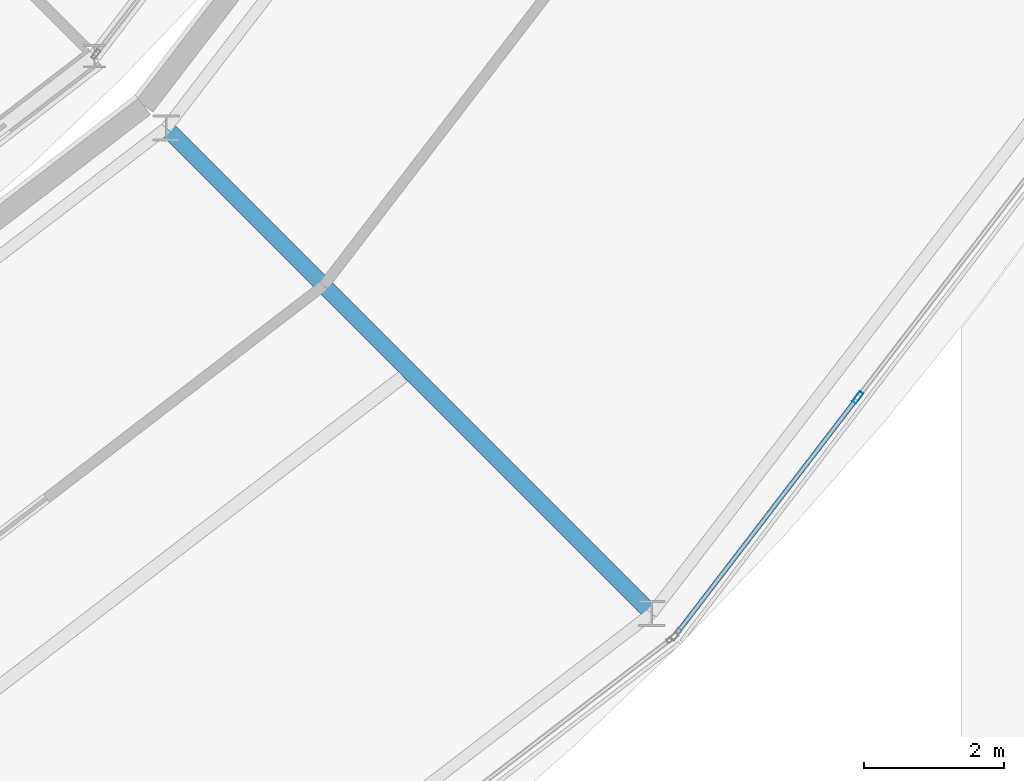
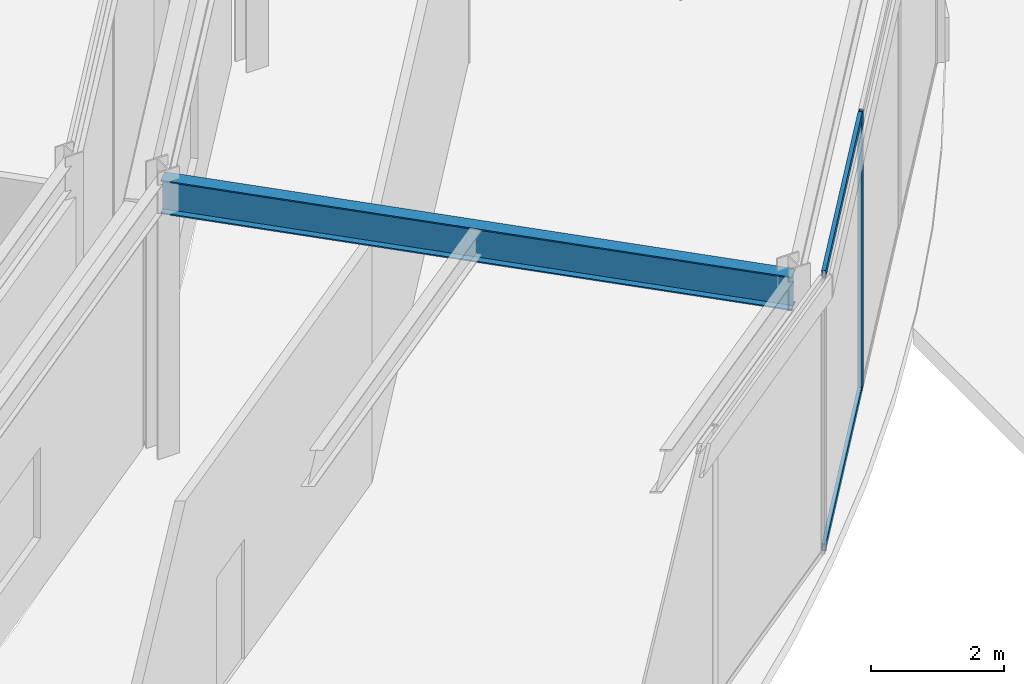
# One storey, part 50 of 168: 3 members, 1 beam, 1 element without a shape of its own.
"""IFC4 building model written with IfcOpenShell, lengths in metres."""

import ifcopenshell
import ifcopenshell.guid

model = None  # the IFC model being written
_history = None  # IfcOwnerHistory: only IFC2X3 demands one
_inside = {}  # id of a spatial element -> (the spatial element, [elements in it])
_under = {}  # id of a project, library or spatial element -> (it, [spatial elements below it])
_declared = {}  # id of a project -> (the project, [libraries it declares])
_typed = {}  # id of a type object -> (the type object, [elements of that type])
_made_of = {}  # id of a material, layer set ... -> (it, [elements and type objects made of it])


def new_model(schema):
    """Start an empty IFC model of exactly this schema.

    Asked for "IFC4X3", IfcOpenShell would pick the latest addendum, in which some entities
    have other attributes; the version numbers below select the first issue.
    IFC2X3 requires an IfcOwnerHistory on every rooted entity: one is made here for all.
    """
    global model, _history
    if schema == "IFC4X3":
        model = ifcopenshell.file(schema_version=(4, 3, 0, 0))
    else:
        model = ifcopenshell.file(schema=schema)
    _inside.clear()
    _under.clear()
    _declared.clear()
    _typed.clear()
    _made_of.clear()
    _history = None
    if model.schema == "IFC2X3":
        org = make("IfcOrganization", Name="unknown")
        user = make(
            "IfcPersonAndOrganization",
            ThePerson=make("IfcPerson", FamilyName="unknown"),
            TheOrganization=org,
        )
        app = make(
            "IfcApplication",
            ApplicationDeveloper=org,
            Version="unknown",
            ApplicationFullName="unknown",
            ApplicationIdentifier="unknown",
        )
        _history = make(
            "IfcOwnerHistory",
            OwningUser=user,
            OwningApplication=app,
            ChangeAction="ADDED",
            CreationDate=0,
        )
    return model


def make(cls, **values):
    """One entity of the class cls with the attributes given. An attribute that is None is left unset."""
    return model.create_entity(
        cls, **{name: value for name, value in values.items() if value is not None}
    )


def rooted(cls, **values):
    """An entity with a GlobalId (a new one), such as an element, a storey or a relation."""
    return make(cls, GlobalId=ifcopenshell.guid.new(), OwnerHistory=_history, **values)


def si_unit(unit_type, name, prefix=None):
    """IfcSIUnit, for example si_unit("LENGTHUNIT", "METRE", prefix="MILLI")."""
    return make("IfcSIUnit", UnitType=unit_type, Prefix=prefix, Name=name)


def assignment(units):
    """IfcUnitAssignment: the units of a project."""
    return None if units is None else make("IfcUnitAssignment", Units=units)


def point(xyz):
    """IfcCartesianPoint."""
    return None if xyz is None else make("IfcCartesianPoint", Coordinates=xyz)


def direction(xyz):
    """IfcDirection."""
    return None if xyz is None else make("IfcDirection", DirectionRatios=xyz)


def frame(location, z_axis=None, x_axis=None):
    """IfcAxis2Placement3D, a coordinate frame: its origin and axes. An axis left out is left unset."""
    return make(
        "IfcAxis2Placement3D",
        Location=point(location),
        Axis=direction(z_axis),
        RefDirection=direction(x_axis),
    )


def frame_2d(location, x_axis=None):
    """IfcAxis2Placement2D, a coordinate frame in the plane: its origin and x axis."""
    return make(
        "IfcAxis2Placement2D", Location=point(location), RefDirection=direction(x_axis)
    )


def origin():
    """The frame at (0, 0, 0) with its axes left unset."""
    return frame((0.0, 0.0, 0.0))


def origin_2d():
    """The frame at (0, 0) in the plane with its x axis left unset."""
    return frame_2d((0.0, 0.0))


def place(relative_to, where):
    """IfcLocalPlacement: puts the frame where relative to a parent placement (None: the world)."""
    return make(
        "IfcLocalPlacement", PlacementRelTo=relative_to, RelativePlacement=where
    )


def context(
    kind, dimensions, precision=None, world=None, true_north=None, identifier=None
):
    """IfcGeometricRepresentationContext, for example the 3D "Model" context."""
    return make(
        "IfcGeometricRepresentationContext",
        ContextIdentifier=identifier,
        ContextType=kind,
        CoordinateSpaceDimension=dimensions,
        Precision=precision,
        WorldCoordinateSystem=world,
        TrueNorth=true_north,
    )


def subcontext(parent, identifier, kind, view, scale=None):
    """IfcGeometricRepresentationSubContext, for example "Body" below "Model"."""
    return make(
        "IfcGeometricRepresentationSubContext",
        ContextIdentifier=identifier,
        ContextType=kind,
        ParentContext=parent,
        TargetScale=scale,
        TargetView=view,
    )


def project(units=None, contexts=None):
    """IfcProject with its units and contexts."""
    return rooted(
        "IfcProject",
        Name="project",
        RepresentationContexts=contexts,
        UnitsInContext=assignment(units),
    )


def spatial(cls, under=None, at=None, **own):
    """A site, building, storey or space (cls), placed at a placement, below another one or the project."""
    s = rooted(cls, ObjectPlacement=at, **own)
    if under is not None:
        _under.setdefault(under.id(), (under, []))[1].append(s)
    return s


def profile(cls, at=None, kind="AREA", **sizes):
    """A parametric profile (cls). Its sizes go by their IFC names, for example OverallWidth=200.0."""
    return make(cls, ProfileType=kind, Position=at, **sizes)


def hollow_rectangle(**sizes):
    """IfcRectangleHollowProfileDef."""
    return profile("IfcRectangleHollowProfileDef", **sizes)


def i_section(**sizes):
    """IfcIShapeProfileDef."""
    return profile("IfcIShapeProfileDef", **sizes)


def extrude(swept, where, along, depth):
    """IfcExtrudedAreaSolid: the profile swept, set in the frame where, extruded along a direction by depth."""
    return make(
        "IfcExtrudedAreaSolid",
        SweptArea=swept,
        Position=where,
        ExtrudedDirection=direction(along),
        Depth=depth,
    )


def shape(context_of_items, identifier, shape_type, items):
    """IfcShapeRepresentation: the items that make up one representation, for example the "Body"."""
    return make(
        "IfcShapeRepresentation",
        ContextOfItems=context_of_items,
        RepresentationIdentifier=identifier,
        RepresentationType=shape_type,
        Items=items,
    )


def material(Name=None, Category=None):
    """IfcMaterial."""
    return make("IfcMaterial", Name=Name, Category=Category)


def material_profile(
    of_material, cross_section, Name=None, Category=None, Priority=None
):
    """IfcMaterialProfile: a cross section and its material."""
    return make(
        "IfcMaterialProfile",
        Name=Name,
        Material=of_material,
        Profile=cross_section,
        Priority=Priority,
        Category=Category,
    )


def profile_set(profiles, Name=None, composite=None):
    """IfcMaterialProfileSet."""
    return make(
        "IfcMaterialProfileSet",
        Name=Name,
        MaterialProfiles=profiles,
        CompositeProfile=composite,
    )


def made_of(thing, what):
    """Note that an element or type object is made of a material, layer set ...; save() writes the relation."""
    if what is not None:
        _made_of.setdefault(what.id(), (what, []))[1].append(thing)
    return thing


def type_object(cls, material=None, **own):
    """A type object (cls), such as IfcWallType, which elements share."""
    return made_of(rooted(cls, **own), material)


def element(
    cls,
    number,
    at=None,
    inside=None,
    cuts=None,
    type_object=None,
    material=None,
    context=None,
    identifier="Body",
    shape_type=None,
    held_by="IfcProductDefinitionShape",
    body=None,
    shapes=None,
    **own,
):
    """One element of the class cls, such as IfcWall. Its Tag is "e" and its number.

    at: its placement. inside: the storey or other place that contains it. cuts: it is an
    opening in that element (IfcRelVoidsElement). A single representation is given by context,
    identifier, shape_type and body (its items); several are given by shapes. held_by: the class
    of the entity that holds the representations. save() writes the other relations.
    """
    e = rooted(cls, Tag="e%d" % number, ObjectPlacement=at, **own)
    if body is not None:
        shapes = [shape(context, identifier, shape_type, body)]
    if shapes is not None:
        e.Representation = make(held_by, Representations=shapes)
    if inside is not None:
        _inside.setdefault(inside.id(), (inside, []))[1].append(e)
    if cuts is not None:
        rooted(
            "IfcRelVoidsElement", RelatingBuildingElement=cuts, RelatedOpeningElement=e
        )
    if type_object is not None:
        _typed.setdefault(type_object.id(), (type_object, []))[1].append(e)
    return made_of(e, material)


def aggregate(whole, parts):
    """IfcRelAggregates: a whole, such as a stair, and the parts it consists of."""
    return rooted("IfcRelAggregates", RelatingObject=whole, RelatedObjects=parts)


def save(model, path):
    """Write the relations noted so far, then the file.

    IfcRelAggregates (storeys below a building ...), IfcRelContainedInSpatialStructure (elements
    in a storey), IfcRelDefinesByType, IfcRelAssociatesMaterial and IfcRelDeclares: one each for
    every whole, place, type object, material and project.
    """
    for whole, parts in _under.values():
        aggregate(whole, parts)
    for where, things in _inside.values():
        rooted(
            "IfcRelContainedInSpatialStructure",
            RelatedElements=things,
            RelatingStructure=where,
        )
    for kind, things in _typed.values():
        rooted("IfcRelDefinesByType", RelatedObjects=things, RelatingType=kind)
    for what, things in _made_of.values():
        rooted("IfcRelAssociatesMaterial", RelatedObjects=things, RelatingMaterial=what)
    for by, libraries in _declared.values():
        rooted("IfcRelDeclares", RelatingContext=by, RelatedDefinitions=libraries)
    model.write(path)


model = new_model("IFC4")

# Units and contexts
model_context = context("Model", 3, precision=1e-05, world=origin(), true_north=direction((0.0, 1.0)))
body_context = subcontext(model_context, "Body", "Model", "MODEL_VIEW")
ifc_project = project(units=[si_unit("LENGTHUNIT", "METRE"), si_unit("AREAUNIT", "SQUARE_METRE"), si_unit("VOLUMEUNIT", "CUBIC_METRE"), si_unit("PLANEANGLEUNIT", "RADIAN"), si_unit("MASSUNIT", "GRAM", prefix="KILO")], contexts=[model_context])

# Site, building, storey
site_placement = place(None, origin())
site = spatial("IfcSite", under=ifc_project, at=site_placement, CompositionType="ELEMENT")
building_placement = place(site_placement, origin())
building = spatial("IfcBuilding", under=site, at=building_placement, Name="Almandine Court Research Institute", CompositionType="ELEMENT")
storey_placement = place(building_placement, origin())
storey = spatial("IfcBuildingStorey", under=building, at=storey_placement, Name="L00", CompositionType="ELEMENT", Elevation=0.0)

# Beam
ifc_material_1 = material(Name="Steel ASTM A992 Grade 50", Category="steel")
ifc_material_profile_1 = material_profile(ifc_material_1, i_section(OverallWidth=0.22998046875, OverallDepth=0.616943359375, WebThickness=0.012939453125, FlangeThickness=0.02197265625, at=origin_2d()), Name="W610x140")
ifc_profile_set_1 = profile_set([ifc_material_profile_1], Name="Steel ASTM A992 Grade 50")
beam_type = type_object("IfcBeamType", Name="Beam-G-02", PredefinedType="BEAM", material=ifc_profile_set_1)
beam_placement = place(storey_placement, frame((114.64794921875, 28.35205078125, 4.715087890625), z_axis=(0.707106781187, -0.707106781187, 0.0), x_axis=(0.707106781187, 0.707106781187, 0.0)))
element("IfcBeam", 1, at=beam_placement, inside=storey, type_object=beam_type, Name="L00 Drum Radial Girder 21", PredefinedType="BEAM", context=body_context, shape_type="SweptSolid", body=[
    extrude(i_section(OverallWidth=0.22998046875, OverallDepth=0.616943359375, WebThickness=0.012939453125, FlangeThickness=0.02197265625, at=origin_2d()), origin(), (0.0, 0.0, 1.0), 9.80029296875),
])

# Curtain wall, members
ifc_material_2 = material(Name="Unitised Curtain Wall Framing and Solar Glazing", Category="glass")
curtain_wall_type = type_object("IfcCurtainWallType", Name="CW-CWJ-17", PredefinedType="USERDEFINED", material=ifc_material_2)
curtain_wall_placement = place(storey_placement, origin())
curtain_wall = element("IfcCurtainWall", 2, at=curtain_wall_placement, inside=storey, type_object=curtain_wall_type, Name="L00 Stacked-Ring Drum Outer Solar Jali Screen 21", ObjectType="SOLAR JALI SCREEN", PredefinedType="USERDEFINED")
ifc_material_3 = material(Name="Anodised Aluminium AW-6063-T6", Category="aluminium")
ifc_material_profile_2 = material_profile(ifc_material_3, hollow_rectangle(XDim=0.06494140625, YDim=0.179931640625, WallThickness=0.00390625, at=origin_2d()), Name="ALU RHS 65x180x4")
ifc_profile_set_2 = profile_set([ifc_material_profile_2], Name="Anodised Aluminium AW-6063-T6")
member_type_1 = type_object("IfcMemberType", Name="CWMul-65x180", PredefinedType="MULLION", material=ifc_profile_set_2)
member_1_placement = place(storey_placement, frame((124.51904296875, 24.505615234375, 0.0), z_axis=(0.0, 0.0, 1.0), x_axis=(0.793382586046, -0.608723313303, 0.0)))
member_1 = element("IfcMember", 3, at=member_1_placement, type_object=member_type_1, Name="CWJ-17 mullion 3", PredefinedType="MULLION", context=body_context, shape_type="SweptSolid", body=[
    extrude(hollow_rectangle(XDim=0.06494140625, YDim=0.179931640625, WallThickness=0.00390625, at=origin_2d()), origin(), (0.0, 0.0, 1.0), 5.070068359375),
])
ifc_material_profile_3 = material_profile(ifc_material_3, hollow_rectangle(XDim=0.06494140625, YDim=0.1298828125, WallThickness=0.00390625, at=origin_2d()), Name="ALU RHS 65x130x4")
ifc_profile_set_3 = profile_set([ifc_material_profile_3], Name="Anodised Aluminium AW-6063-T6")
member_type_2 = type_object("IfcMemberType", Name="CWTrn-65x130", PredefinedType="NOTDEFINED", material=ifc_profile_set_3)
member_2_placement = place(storey_placement, frame((124.499267578125, 24.47998046875, 0.032470703125), z_axis=(-0.608725941364, -0.793380569658, 0.0), x_axis=(0.793380569658, -0.608725941364, 0.0)))
member_2 = element("IfcMember", 4, at=member_2_placement, type_object=member_type_2, Name="CWJ-17 transom 3.1", ObjectType="TRANSOM", PredefinedType="USERDEFINED", context=body_context, shape_type="SweptSolid", body=[
    extrude(hollow_rectangle(XDim=0.06494140625, YDim=0.1298828125, WallThickness=0.00390625, at=origin_2d()), origin(), (0.0, 0.0, 1.0), 4.195068359375),
])
member_3_placement = place(storey_placement, frame((124.499267578125, 24.47998046875, 5.03759765625), z_axis=(-0.608725941364, -0.793380569658, 0.0), x_axis=(0.793380569658, -0.608725941364, 0.0)))
member_3 = element("IfcMember", 5, at=member_3_placement, type_object=member_type_2, Name="CWJ-17 transom 3.2", ObjectType="TRANSOM", PredefinedType="USERDEFINED", context=body_context, shape_type="SweptSolid", body=[
    extrude(hollow_rectangle(XDim=0.06494140625, YDim=0.1298828125, WallThickness=0.00390625, at=origin_2d()), origin(), (0.0, 0.0, 1.0), 4.195068359375),
])
aggregate(curtain_wall, [member_1, member_2, member_3])

save(model, "model.ifc")
